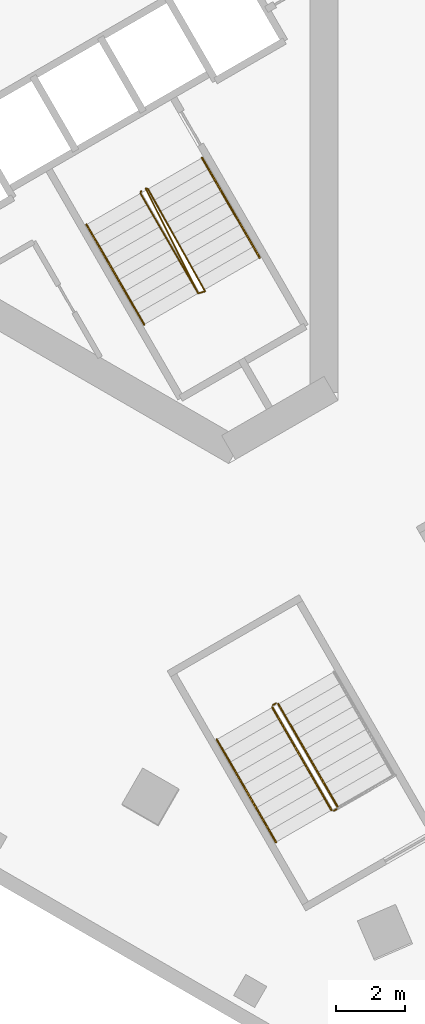
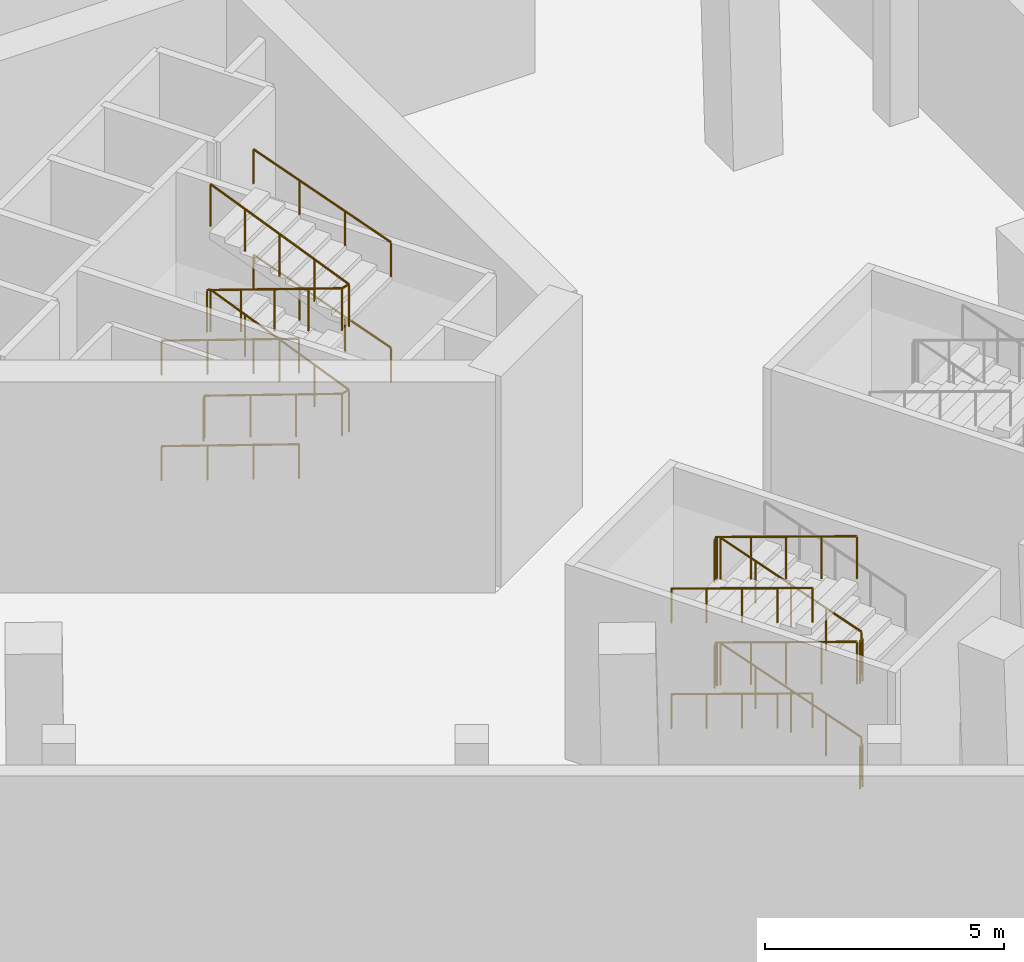
# One storey, part 20 of 35: 15 railings.
"""IFC4 building model written with IfcOpenShell, lengths in metres."""

import ifcopenshell
import ifcopenshell.guid

model = None  # the IFC model being written
_history = None  # IfcOwnerHistory: only IFC2X3 demands one
_inside = {}  # id of a spatial element -> (the spatial element, [elements in it])
_under = {}  # id of a project, library or spatial element -> (it, [spatial elements below it])
_declared = {}  # id of a project -> (the project, [libraries it declares])
_typed = {}  # id of a type object -> (the type object, [elements of that type])
_made_of = {}  # id of a material, layer set ... -> (it, [elements and type objects made of it])


def new_model(schema):
    """Start an empty IFC model of exactly this schema.

    Asked for "IFC4X3", IfcOpenShell would pick the latest addendum, in which some entities
    have other attributes; the version numbers below select the first issue.
    IFC2X3 requires an IfcOwnerHistory on every rooted entity: one is made here for all.
    """
    global model, _history
    if schema == "IFC4X3":
        model = ifcopenshell.file(schema_version=(4, 3, 0, 0))
    else:
        model = ifcopenshell.file(schema=schema)
    _inside.clear()
    _under.clear()
    _declared.clear()
    _typed.clear()
    _made_of.clear()
    _history = None
    if model.schema == "IFC2X3":
        org = make("IfcOrganization", Name="unknown")
        user = make(
            "IfcPersonAndOrganization",
            ThePerson=make("IfcPerson", FamilyName="unknown"),
            TheOrganization=org,
        )
        app = make(
            "IfcApplication",
            ApplicationDeveloper=org,
            Version="unknown",
            ApplicationFullName="unknown",
            ApplicationIdentifier="unknown",
        )
        _history = make(
            "IfcOwnerHistory",
            OwningUser=user,
            OwningApplication=app,
            ChangeAction="ADDED",
            CreationDate=0,
        )
    return model


def make(cls, **values):
    """One entity of the class cls with the attributes given. An attribute that is None is left unset."""
    return model.create_entity(
        cls, **{name: value for name, value in values.items() if value is not None}
    )


def rooted(cls, **values):
    """An entity with a GlobalId (a new one), such as an element, a storey or a relation."""
    return make(cls, GlobalId=ifcopenshell.guid.new(), OwnerHistory=_history, **values)


def si_unit(unit_type, name, prefix=None):
    """IfcSIUnit, for example si_unit("LENGTHUNIT", "METRE", prefix="MILLI")."""
    return make("IfcSIUnit", UnitType=unit_type, Prefix=prefix, Name=name)


def assignment(units):
    """IfcUnitAssignment: the units of a project."""
    return None if units is None else make("IfcUnitAssignment", Units=units)


def point(xyz):
    """IfcCartesianPoint."""
    return None if xyz is None else make("IfcCartesianPoint", Coordinates=xyz)


def direction(xyz):
    """IfcDirection."""
    return None if xyz is None else make("IfcDirection", DirectionRatios=xyz)


def frame(location, z_axis=None, x_axis=None):
    """IfcAxis2Placement3D, a coordinate frame: its origin and axes. An axis left out is left unset."""
    return make(
        "IfcAxis2Placement3D",
        Location=point(location),
        Axis=direction(z_axis),
        RefDirection=direction(x_axis),
    )


def frame_2d(location, x_axis=None):
    """IfcAxis2Placement2D, a coordinate frame in the plane: its origin and x axis."""
    return make(
        "IfcAxis2Placement2D", Location=point(location), RefDirection=direction(x_axis)
    )


def origin():
    """The frame at (0, 0, 0) with its axes left unset."""
    return frame((0.0, 0.0, 0.0))


def origin_2d():
    """The frame at (0, 0) in the plane with its x axis left unset."""
    return frame_2d((0.0, 0.0))


def place(relative_to, where):
    """IfcLocalPlacement: puts the frame where relative to a parent placement (None: the world)."""
    return make(
        "IfcLocalPlacement", PlacementRelTo=relative_to, RelativePlacement=where
    )


def context(
    kind, dimensions, precision=None, world=None, true_north=None, identifier=None
):
    """IfcGeometricRepresentationContext, for example the 3D "Model" context."""
    return make(
        "IfcGeometricRepresentationContext",
        ContextIdentifier=identifier,
        ContextType=kind,
        CoordinateSpaceDimension=dimensions,
        Precision=precision,
        WorldCoordinateSystem=world,
        TrueNorth=true_north,
    )


def subcontext(parent, identifier, kind, view, scale=None):
    """IfcGeometricRepresentationSubContext, for example "Body" below "Model"."""
    return make(
        "IfcGeometricRepresentationSubContext",
        ContextIdentifier=identifier,
        ContextType=kind,
        ParentContext=parent,
        TargetScale=scale,
        TargetView=view,
    )


def project(units=None, contexts=None):
    """IfcProject with its units and contexts."""
    return rooted(
        "IfcProject",
        Name="project",
        RepresentationContexts=contexts,
        UnitsInContext=assignment(units),
    )


def spatial(cls, under=None, at=None, **own):
    """A site, building, storey or space (cls), placed at a placement, below another one or the project."""
    s = rooted(cls, ObjectPlacement=at, **own)
    if under is not None:
        _under.setdefault(under.id(), (under, []))[1].append(s)
    return s


def profile(cls, at=None, kind="AREA", **sizes):
    """A parametric profile (cls). Its sizes go by their IFC names, for example OverallWidth=200.0."""
    return make(cls, ProfileType=kind, Position=at, **sizes)


def circle(**sizes):
    """IfcCircleProfileDef."""
    return profile("IfcCircleProfileDef", **sizes)


def extrude(swept, where, along, depth):
    """IfcExtrudedAreaSolid: the profile swept, set in the frame where, extruded along a direction by depth."""
    return make(
        "IfcExtrudedAreaSolid",
        SweptArea=swept,
        Position=where,
        ExtrudedDirection=direction(along),
        Depth=depth,
    )


def shape(context_of_items, identifier, shape_type, items):
    """IfcShapeRepresentation: the items that make up one representation, for example the "Body"."""
    return make(
        "IfcShapeRepresentation",
        ContextOfItems=context_of_items,
        RepresentationIdentifier=identifier,
        RepresentationType=shape_type,
        Items=items,
    )


def material(Name=None, Category=None):
    """IfcMaterial."""
    return make("IfcMaterial", Name=Name, Category=Category)


def made_of(thing, what):
    """Note that an element or type object is made of a material, layer set ...; save() writes the relation."""
    if what is not None:
        _made_of.setdefault(what.id(), (what, []))[1].append(thing)
    return thing


def type_object(cls, material=None, **own):
    """A type object (cls), such as IfcWallType, which elements share."""
    return made_of(rooted(cls, **own), material)


def element(
    cls,
    number,
    at=None,
    inside=None,
    cuts=None,
    type_object=None,
    material=None,
    context=None,
    identifier="Body",
    shape_type=None,
    held_by="IfcProductDefinitionShape",
    body=None,
    shapes=None,
    **own,
):
    """One element of the class cls, such as IfcWall. Its Tag is "e" and its number.

    at: its placement. inside: the storey or other place that contains it. cuts: it is an
    opening in that element (IfcRelVoidsElement). A single representation is given by context,
    identifier, shape_type and body (its items); several are given by shapes. held_by: the class
    of the entity that holds the representations. save() writes the other relations.
    """
    e = rooted(cls, Tag="e%d" % number, ObjectPlacement=at, **own)
    if body is not None:
        shapes = [shape(context, identifier, shape_type, body)]
    if shapes is not None:
        e.Representation = make(held_by, Representations=shapes)
    if inside is not None:
        _inside.setdefault(inside.id(), (inside, []))[1].append(e)
    if cuts is not None:
        rooted(
            "IfcRelVoidsElement", RelatingBuildingElement=cuts, RelatedOpeningElement=e
        )
    if type_object is not None:
        _typed.setdefault(type_object.id(), (type_object, []))[1].append(e)
    return made_of(e, material)


def aggregate(whole, parts):
    """IfcRelAggregates: a whole, such as a stair, and the parts it consists of."""
    return rooted("IfcRelAggregates", RelatingObject=whole, RelatedObjects=parts)


def save(model, path):
    """Write the relations noted so far, then the file.

    IfcRelAggregates (storeys below a building ...), IfcRelContainedInSpatialStructure (elements
    in a storey), IfcRelDefinesByType, IfcRelAssociatesMaterial and IfcRelDeclares: one each for
    every whole, place, type object, material and project.
    """
    for whole, parts in _under.values():
        aggregate(whole, parts)
    for where, things in _inside.values():
        rooted(
            "IfcRelContainedInSpatialStructure",
            RelatedElements=things,
            RelatingStructure=where,
        )
    for kind, things in _typed.values():
        rooted("IfcRelDefinesByType", RelatedObjects=things, RelatingType=kind)
    for what, things in _made_of.values():
        rooted("IfcRelAssociatesMaterial", RelatedObjects=things, RelatingMaterial=what)
    for by, libraries in _declared.values():
        rooted("IfcRelDeclares", RelatingContext=by, RelatedDefinitions=libraries)
    model.write(path)


model = new_model("IFC4")

# Units and contexts
model_context = context("Model", 3, precision=1e-05, world=origin(), true_north=direction((0.0, 1.0)))
body_context = subcontext(model_context, "Body", "Model", "MODEL_VIEW")
ifc_project = project(units=[si_unit("LENGTHUNIT", "METRE"), si_unit("AREAUNIT", "SQUARE_METRE"), si_unit("VOLUMEUNIT", "CUBIC_METRE"), si_unit("PLANEANGLEUNIT", "RADIAN"), si_unit("MASSUNIT", "GRAM", prefix="KILO")], contexts=[model_context])

# Site, building, storey
site_placement = place(None, origin())
site = spatial("IfcSite", under=ifc_project, at=site_placement, CompositionType="ELEMENT")
building_placement = place(site_placement, origin())
building = spatial("IfcBuilding", under=site, at=building_placement, Name="Jabali Bay Hotel Tower and Convention Centre", CompositionType="ELEMENT")
storey_placement = place(building_placement, frame((0.0, 0.0, 15.0)))
storey = spatial("IfcBuildingStorey", under=building, at=storey_placement, Name="L02", CompositionType="ELEMENT", Elevation=15.0)

# Railings
ifc_material = material(Name="Steel Q355B", Category="steel")
railing_type_1 = type_object("IfcRailingType", Name="Stair guard 1100", PredefinedType="GUARDRAIL", material=ifc_material)
railing_1_placement = place(storey_placement, frame((84.199951171875, 63.9150390625, 0.0)))
element("IfcRailing", 1, at=railing_1_placement, inside=storey, type_object=railing_type_1, Name="L02 ST3 stair guard 1", PredefinedType="GUARDRAIL", context=body_context, shape_type="SweptSolid", body=[
    extrude(circle(Radius=0.02392578125, at=origin_2d()), frame((0.0, 0.0, 1.076171875), z_axis=(-0.120121682433, -0.448454281082, 0.885697205138), x_axis=(0.965948051503, -0.258736085224, 0.0)), (0.0, 0.0, 1.0), 0.15234375),
    extrude(circle(Radius=0.02392578125, at=origin_2d()), frame((-0.018310546875, -0.068359375, 1.2109375), z_axis=(0.469723847584, -0.813545174145, 0.342788209593), x_axis=(0.866014653411, 0.500018619731, 0.0)), (0.0, 0.0, 1.0), 3.544677734375),
    extrude(circle(Radius=0.02392578125, at=origin_2d()), frame((1.646728515625, -2.9521484375, 2.42626953125), z_axis=(0.961523947641, 0.274721127897, 0.0), x_axis=(-0.274721127897, 0.961523947641, 0.0)), (0.0, 0.0, 1.0), 0.2060546875),
    extrude(circle(Radius=0.02392578125, at=origin_2d()), frame((1.844970703125, -2.8955078125, 2.42626953125), z_axis=(-0.452408192351, 0.811048163367, 0.3708472788), x_axis=(-0.873321331712, -0.48714459001, 0.0)), (0.0, 0.0, 1.0), 3.639892578125),
    extrude(circle(Radius=0.02392578125, at=origin_2d()), frame((0.1982421875, 0.056640625, 3.77587890625), z_axis=(-0.965948051503, 0.258736085224, 0.0), x_axis=(-0.258736085224, -0.965948051503, 0.0)), (0.0, 0.0, 1.0), 0.07080078125),
    extrude(circle(Radius=0.02392578125, at=origin_2d()), frame((0.1298828125, 0.074951171875, 3.77587890625), z_axis=(0.416130262987, -0.830452137579, 0.370384734318), x_axis=(0.894037481687, 0.447992166604, 0.0)), (0.0, 0.0, 1.0), 3.64501953125),
    extrude(circle(Radius=0.02392578125, at=origin_2d()), frame((1.646728515625, -2.9521484375, 5.1259765625), z_axis=(0.961523947641, 0.274721127897, 0.0), x_axis=(-0.274721127897, 0.961523947641, 0.0)), (0.0, 0.0, 1.0), 0.2060546875),
    extrude(circle(Radius=0.02392578125, at=origin_2d()), frame((1.844970703125, -2.8955078125, 5.1259765625), z_axis=(-0.452408192351, 0.811048163367, 0.3708472788), x_axis=(-0.873321331712, -0.48714459001, 0.0)), (0.0, 0.0, 1.0), 3.639892578125),
    extrude(circle(Radius=0.02099609375, at=origin_2d()), origin(), (0.0, 0.0, 1.0), 1.052001953125),
    extrude(circle(Radius=0.02099609375, at=origin_2d()), frame((-0.018310546875, -0.068359375, 0.135009765625)), (0.0, 0.0, 1.0), 1.052001953125),
    extrude(circle(Radius=0.02099609375, at=origin_2d()), frame((0.53662109375, -1.029541015625, 0.5400390625)), (0.0, 0.0, 1.0), 1.052001953125),
    extrude(circle(Radius=0.02099609375, at=origin_2d()), frame((1.091796875, -1.990966796875, 0.945068359375)), (0.0, 0.0, 1.0), 1.052001953125),
    extrude(circle(Radius=0.02099609375, at=origin_2d()), frame((1.646728515625, -2.9521484375, 1.35009765625)), (0.0, 0.0, 1.0), 1.052001953125),
    extrude(circle(Radius=0.02099609375, at=origin_2d()), frame((1.844970703125, -2.8955078125, 1.35009765625)), (0.0, 0.0, 1.0), 1.052001953125),
    extrude(circle(Radius=0.02099609375, at=origin_2d()), frame((1.433349609375, -2.157470703125, 1.6875)), (0.0, 0.0, 1.0), 1.052001953125),
    extrude(circle(Radius=0.02099609375, at=origin_2d()), frame((1.021484375, -1.41943359375, 2.02490234375)), (0.0, 0.0, 1.0), 1.052001953125),
    extrude(circle(Radius=0.02099609375, at=origin_2d()), frame((0.60986328125, -0.681396484375, 2.362548828125)), (0.0, 0.0, 1.0), 1.052001953125),
    extrude(circle(Radius=0.02099609375, at=origin_2d()), frame((0.1982421875, 0.056640625, 2.699951171875)), (0.0, 0.0, 1.0), 1.052001953125),
    extrude(circle(Radius=0.02099609375, at=origin_2d()), frame((0.1298828125, 0.074951171875, 2.699951171875)), (0.0, 0.0, 1.0), 1.052001953125),
    extrude(circle(Radius=0.02099609375, at=origin_2d()), frame((0.509033203125, -0.681884765625, 3.03759765625)), (0.0, 0.0, 1.0), 1.052001953125),
    extrude(circle(Radius=0.02099609375, at=origin_2d()), frame((0.88818359375, -1.4384765625, 3.375)), (0.0, 0.0, 1.0), 1.052001953125),
    extrude(circle(Radius=0.02099609375, at=origin_2d()), frame((1.267578125, -2.1953125, 3.71240234375)), (0.0, 0.0, 1.0), 1.052001953125),
    extrude(circle(Radius=0.02099609375, at=origin_2d()), frame((1.646728515625, -2.9521484375, 4.050048828125)), (0.0, 0.0, 1.0), 1.052001953125),
    extrude(circle(Radius=0.02099609375, at=origin_2d()), frame((1.844970703125, -2.8955078125, 4.050048828125)), (0.0, 0.0, 1.0), 1.052001953125),
    extrude(circle(Radius=0.02099609375, at=origin_2d()), frame((1.433349609375, -2.157470703125, 4.387451171875)), (0.0, 0.0, 1.0), 1.052001953125),
    extrude(circle(Radius=0.02099609375, at=origin_2d()), frame((1.021484375, -1.41943359375, 4.72509765625)), (0.0, 0.0, 1.0), 1.052001953125),
    extrude(circle(Radius=0.02099609375, at=origin_2d()), frame((0.60986328125, -0.681396484375, 5.0625)), (0.0, 0.0, 1.0), 1.052001953125),
    extrude(circle(Radius=0.02099609375, at=origin_2d()), frame((0.1982421875, 0.056640625, 5.39990234375)), (0.0, 0.0, 1.0), 1.052001953125),
])
railing_2_placement = place(storey_placement, frame((89.86767578125, 46.148681640625, 0.135009765625)))
element("IfcRailing", 2, at=railing_2_placement, inside=storey, type_object=railing_type_1, Name="L02 PS6 stair guard 1", PredefinedType="GUARDRAIL", context=body_context, shape_type="SweptSolid", body=[
    extrude(circle(Radius=0.02392578125, at=origin_2d()), frame((0.0, 0.0, 1.076171875), z_axis=(-0.471153129976, 0.816042064498, 0.334798561949), x_axis=(-0.866020337685, -0.500008774639, 0.0)), (0.0, 0.0, 1.0), 3.62939453125),
    extrude(circle(Radius=0.02099609375, at=origin_2d()), origin(), (0.0, 0.0, 1.0), 1.052001953125),
    extrude(circle(Radius=0.02099609375, at=origin_2d()), frame((-0.427490234375, 0.740478515625, 0.3037109375)), (0.0, 0.0, 1.0), 1.052001953125),
    extrude(circle(Radius=0.02099609375, at=origin_2d()), frame((-0.85498046875, 1.48095703125, 0.607421875)), (0.0, 0.0, 1.0), 1.052001953125),
    extrude(circle(Radius=0.02099609375, at=origin_2d()), frame((-1.282470703125, 2.22119140625, 0.911376953125)), (0.0, 0.0, 1.0), 1.052001953125),
    extrude(circle(Radius=0.02099609375, at=origin_2d()), frame((-1.7099609375, 2.961669921875, 1.215087890625)), (0.0, 0.0, 1.0), 1.052001953125),
])
railing_3_placement = place(storey_placement, frame((88.08935546875, 49.128662109375, 1.35009765625)))
element("IfcRailing", 3, at=railing_3_placement, inside=storey, type_object=railing_type_1, Name="L02 PS6 stair guard 2", PredefinedType="GUARDRAIL", context=body_context, shape_type="SweptSolid", body=[
    extrude(circle(Radius=0.02392578125, at=origin_2d()), frame((0.0, 0.0, 1.076171875), z_axis=(-0.865982457891, -0.500074377092, 0.0), x_axis=(0.500074377092, -0.865982457891, 0.0)), (0.0, 0.0, 1.0), 0.10009765625),
    extrude(circle(Radius=0.02099609375, at=origin_2d()), origin(), (0.0, 0.0, 1.0), 1.052001953125),
    extrude(circle(Radius=0.02099609375, at=origin_2d()), frame((-0.086669921875, -0.050048828125, 0.0)), (0.0, 0.0, 1.0), 1.052001953125),
])
railing_4_placement = place(storey_placement, frame((87.984375, 49.01025390625, 1.485107421875)))
element("IfcRailing", 4, at=railing_4_placement, inside=storey, type_object=railing_type_1, Name="L02 PS6 stair guard 3", PredefinedType="GUARDRAIL", context=body_context, shape_type="SweptSolid", body=[
    extrude(circle(Radius=0.02392578125, at=origin_2d()), frame((0.0, 0.0, 1.076171875), z_axis=(0.471163740398, -0.816060441857, 0.334738830985), x_axis=(0.866020337685, 0.500008774639, 0.0)), (0.0, 0.0, 1.0), 3.629150390625),
    extrude(circle(Radius=0.02099609375, at=origin_2d()), origin(), (0.0, 0.0, 1.0), 1.052001953125),
    extrude(circle(Radius=0.02099609375, at=origin_2d()), frame((0.427490234375, -0.740478515625, 0.3037109375)), (0.0, 0.0, 1.0), 1.052001953125),
    extrude(circle(Radius=0.02099609375, at=origin_2d()), frame((0.85498046875, -1.48095703125, 0.607421875)), (0.0, 0.0, 1.0), 1.052001953125),
    extrude(circle(Radius=0.02099609375, at=origin_2d()), frame((1.282470703125, -2.22119140625, 0.9111328125)), (0.0, 0.0, 1.0), 1.052001953125),
    extrude(circle(Radius=0.02099609375, at=origin_2d()), frame((1.7099609375, -2.961669921875, 1.21484375)), (0.0, 0.0, 1.0), 1.052001953125),
])
railing_5_placement = place(storey_placement, frame((89.849365234375, 46.080322265625, 2.699951171875)))
element("IfcRailing", 5, at=railing_5_placement, inside=storey, type_object=railing_type_1, Name="L02 PS6 stair guard 4", PredefinedType="GUARDRAIL", context=body_context, shape_type="SweptSolid", body=[
    extrude(circle(Radius=0.02392578125, at=origin_2d()), frame((0.0, 0.0, 1.076171875), z_axis=(-0.865982457891, -0.500074377092, 0.0), x_axis=(0.500074377092, -0.865982457891, 0.0)), (0.0, 0.0, 1.0), 0.10009765625),
    extrude(circle(Radius=0.02099609375, at=origin_2d()), origin(), (0.0, 0.0, 1.0), 1.052001953125),
    extrude(circle(Radius=0.02099609375, at=origin_2d()), frame((-0.086669921875, -0.050048828125, 0.0)), (0.0, 0.0, 1.0), 1.052001953125),
])
railing_6_placement = place(storey_placement, frame((89.86767578125, 46.148681640625, 2.8349609375)))
element("IfcRailing", 6, at=railing_6_placement, inside=storey, type_object=railing_type_1, Name="L02 PS6 stair guard 5", PredefinedType="GUARDRAIL", context=body_context, shape_type="SweptSolid", body=[
    extrude(circle(Radius=0.02392578125, at=origin_2d()), frame((0.0, 0.0, 1.076171875), z_axis=(-0.471153129976, 0.816042064498, 0.334798561949), x_axis=(-0.866020337685, -0.500008774639, 0.0)), (0.0, 0.0, 1.0), 3.62939453125),
    extrude(circle(Radius=0.02099609375, at=origin_2d()), origin(), (0.0, 0.0, 1.0), 1.052001953125),
    extrude(circle(Radius=0.02099609375, at=origin_2d()), frame((-0.427490234375, 0.740478515625, 0.3037109375)), (0.0, 0.0, 1.0), 1.052001953125),
    extrude(circle(Radius=0.02099609375, at=origin_2d()), frame((-0.85498046875, 1.48095703125, 0.607421875)), (0.0, 0.0, 1.0), 1.052001953125),
    extrude(circle(Radius=0.02099609375, at=origin_2d()), frame((-1.282470703125, 2.22119140625, 0.911376953125)), (0.0, 0.0, 1.0), 1.052001953125),
    extrude(circle(Radius=0.02099609375, at=origin_2d()), frame((-1.7099609375, 2.961669921875, 1.215087890625)), (0.0, 0.0, 1.0), 1.052001953125),
])
railing_7_placement = place(storey_placement, frame((88.08935546875, 49.128662109375, 4.050048828125)))
element("IfcRailing", 7, at=railing_7_placement, inside=storey, type_object=railing_type_1, Name="L02 PS6 stair guard 6", PredefinedType="GUARDRAIL", context=body_context, shape_type="SweptSolid", body=[
    extrude(circle(Radius=0.02392578125, at=origin_2d()), frame((0.0, 0.0, 1.076171875), z_axis=(-0.865982457891, -0.500074377092, 0.0), x_axis=(0.500074377092, -0.865982457891, 0.0)), (0.0, 0.0, 1.0), 0.10009765625),
    extrude(circle(Radius=0.02099609375, at=origin_2d()), origin(), (0.0, 0.0, 1.0), 1.052001953125),
    extrude(circle(Radius=0.02099609375, at=origin_2d()), frame((-0.086669921875, -0.050048828125, 0.0)), (0.0, 0.0, 1.0), 1.052001953125),
])
railing_8_placement = place(storey_placement, frame((87.984375, 49.01025390625, 4.18505859375)))
element("IfcRailing", 8, at=railing_8_placement, inside=storey, type_object=railing_type_1, Name="L02 PS6 stair guard 7", PredefinedType="GUARDRAIL", context=body_context, shape_type="SweptSolid", body=[
    extrude(circle(Radius=0.02392578125, at=origin_2d()), frame((0.0, 0.0, 1.076171875), z_axis=(0.471163740398, -0.816060441857, 0.334738830985), x_axis=(0.866020337685, 0.500008774639, 0.0)), (0.0, 0.0, 1.0), 3.629150390625),
    extrude(circle(Radius=0.02099609375, at=origin_2d()), origin(), (0.0, 0.0, 1.0), 1.052001953125),
    extrude(circle(Radius=0.02099609375, at=origin_2d()), frame((0.427490234375, -0.740478515625, 0.3037109375)), (0.0, 0.0, 1.0), 1.052001953125),
    extrude(circle(Radius=0.02099609375, at=origin_2d()), frame((0.85498046875, -1.48095703125, 0.607421875)), (0.0, 0.0, 1.0), 1.052001953125),
    extrude(circle(Radius=0.02099609375, at=origin_2d()), frame((1.282470703125, -2.22119140625, 0.9111328125)), (0.0, 0.0, 1.0), 1.052001953125),
    extrude(circle(Radius=0.02099609375, at=origin_2d()), frame((1.7099609375, -2.961669921875, 1.21484375)), (0.0, 0.0, 1.0), 1.052001953125),
])
railing_9_placement = place(storey_placement, frame((89.849365234375, 46.080322265625, 0.0)))
element("IfcRailing", 9, at=railing_9_placement, inside=storey, type_object=railing_type_1, Name="L02 PS6 stair guard 8", PredefinedType="GUARDRAIL", context=body_context, shape_type="SweptSolid", body=[
    extrude(circle(Radius=0.02392578125, at=origin_2d()), frame((0.0, 0.0, 1.076171875), z_axis=(-0.865982457891, -0.500074377092, 0.0), x_axis=(0.500074377092, -0.865982457891, 0.0)), (0.0, 0.0, 1.0), 0.10009765625),
    extrude(circle(Radius=0.02099609375, at=origin_2d()), origin(), (0.0, 0.0, 1.0), 1.052001953125),
    extrude(circle(Radius=0.02099609375, at=origin_2d()), frame((-0.086669921875, -0.050048828125, 0.0)), (0.0, 0.0, 1.0), 1.052001953125),
])
railing_type_2 = type_object("IfcRailingType", Name="Stair handrail 900", PredefinedType="HANDRAIL", material=ifc_material)
railing_10_placement = place(storey_placement, frame((82.622802734375, 62.94677734375, 0.135009765625)))
element("IfcRailing", 10, at=railing_10_placement, inside=storey, type_object=railing_type_2, Name="L02 ST3 stair handrail 1", PredefinedType="HANDRAIL", context=body_context, shape_type="SweptSolid", body=[
    extrude(circle(Radius=0.02392578125, at=origin_2d()), frame((0.0, 0.0, 0.8759765625), z_axis=(0.469723847584, -0.813545174145, 0.342788209593), x_axis=(0.866014653411, 0.500018619731, 0.0)), (0.0, 0.0, 1.0), 3.544677734375),
    extrude(circle(Radius=0.02099609375, at=origin_2d()), origin(), (0.0, 0.0, 1.0), 0.851806640625),
    extrude(circle(Radius=0.02099609375, at=origin_2d()), frame((0.554931640625, -0.961181640625, 0.405029296875)), (0.0, 0.0, 1.0), 0.851806640625),
    extrude(circle(Radius=0.02099609375, at=origin_2d()), frame((1.110107421875, -1.922607421875, 0.81005859375)), (0.0, 0.0, 1.0), 0.851806640625),
    extrude(circle(Radius=0.02099609375, at=origin_2d()), frame((1.6650390625, -2.8837890625, 1.215087890625)), (0.0, 0.0, 1.0), 0.851806640625),
])
railing_11_placement = place(storey_placement, frame((87.6220703125, 61.98779296875, 1.485107421875)))
element("IfcRailing", 11, at=railing_11_placement, inside=storey, type_object=railing_type_2, Name="L02 ST3 stair handrail 2", PredefinedType="HANDRAIL", context=body_context, shape_type="SweptSolid", body=[
    extrude(circle(Radius=0.02392578125, at=origin_2d()), frame((0.0, 0.0, 0.8759765625), z_axis=(-0.469708616178, 0.813587666116, 0.342708222009), x_axis=(-0.866032982159, -0.499986873641, 0.0)), (0.0, 0.0, 1.0), 3.544921875),
    extrude(circle(Radius=0.02099609375, at=origin_2d()), origin(), (0.0, 0.0, 1.0), 0.851806640625),
    extrude(circle(Radius=0.02099609375, at=origin_2d()), frame((-0.554931640625, 0.96142578125, 0.405029296875)), (0.0, 0.0, 1.0), 0.851806640625),
    extrude(circle(Radius=0.02099609375, at=origin_2d()), frame((-1.110107421875, 1.922607421875, 0.809814453125)), (0.0, 0.0, 1.0), 0.851806640625),
    extrude(circle(Radius=0.02099609375, at=origin_2d()), frame((-1.6650390625, 2.884033203125, 1.21484375)), (0.0, 0.0, 1.0), 0.851806640625),
])
railing_12_placement = place(storey_placement, frame((82.622802734375, 62.94677734375, 2.8349609375)))
element("IfcRailing", 12, at=railing_12_placement, inside=storey, type_object=railing_type_2, Name="L02 ST3 stair handrail 3", PredefinedType="HANDRAIL", context=body_context, shape_type="SweptSolid", body=[
    extrude(circle(Radius=0.02392578125, at=origin_2d()), frame((0.0, 0.0, 0.8759765625), z_axis=(0.469723847584, -0.813545174145, 0.342788209593), x_axis=(0.866014653411, 0.500018619731, 0.0)), (0.0, 0.0, 1.0), 3.544677734375),
    extrude(circle(Radius=0.02099609375, at=origin_2d()), origin(), (0.0, 0.0, 1.0), 0.851806640625),
    extrude(circle(Radius=0.02099609375, at=origin_2d()), frame((0.554931640625, -0.961181640625, 0.405029296875)), (0.0, 0.0, 1.0), 0.851806640625),
    extrude(circle(Radius=0.02099609375, at=origin_2d()), frame((1.110107421875, -1.922607421875, 0.81005859375)), (0.0, 0.0, 1.0), 0.851806640625),
    extrude(circle(Radius=0.02099609375, at=origin_2d()), frame((1.6650390625, -2.8837890625, 1.215087890625)), (0.0, 0.0, 1.0), 0.851806640625),
])
railing_13_placement = place(storey_placement, frame((87.6220703125, 61.98779296875, 4.18505859375)))
element("IfcRailing", 13, at=railing_13_placement, inside=storey, type_object=railing_type_2, Name="L02 ST3 stair handrail 4", PredefinedType="HANDRAIL", context=body_context, shape_type="SweptSolid", body=[
    extrude(circle(Radius=0.02392578125, at=origin_2d()), frame((0.0, 0.0, 0.8759765625), z_axis=(-0.469708616178, 0.813587666116, 0.342708222009), x_axis=(-0.866032982159, -0.499986873641, 0.0)), (0.0, 0.0, 1.0), 3.544921875),
    extrude(circle(Radius=0.02099609375, at=origin_2d()), origin(), (0.0, 0.0, 1.0), 0.851806640625),
    extrude(circle(Radius=0.02099609375, at=origin_2d()), frame((-0.554931640625, 0.96142578125, 0.405029296875)), (0.0, 0.0, 1.0), 0.851806640625),
    extrude(circle(Radius=0.02099609375, at=origin_2d()), frame((-1.110107421875, 1.922607421875, 0.809814453125)), (0.0, 0.0, 1.0), 0.851806640625),
    extrude(circle(Radius=0.02099609375, at=origin_2d()), frame((-1.6650390625, 2.884033203125, 1.21484375)), (0.0, 0.0, 1.0), 0.851806640625),
])
for number, where, name in (
    (14, (86.38232421875, 48.08544921875, 1.485107421875), "L02 PS6 stair handrail 2"),
    (15, (86.38232421875, 48.08544921875, 4.18505859375), "L02 PS6 stair handrail 4"),
):
    element("IfcRailing", number, at=place(storey_placement, frame(where)), inside=storey, type_object=railing_type_2, Name=name, PredefinedType="HANDRAIL", context=body_context, shape_type="SweptSolid", body=[
        extrude(circle(Radius=0.02392578125, at=origin_2d()), frame((0.0, 0.0, 0.8759765625), z_axis=(0.47113787602, -0.81608291146, 0.334720455607), x_axis=(0.866038183914, 0.499977863513, 0.0)), (0.0, 0.0, 1.0), 3.62939453125),
        extrude(circle(Radius=0.02099609375, at=origin_2d()), origin(), (0.0, 0.0, 1.0), 0.851806640625),
        extrude(circle(Radius=0.02099609375, at=origin_2d()), frame((0.427490234375, -0.740478515625, 0.3037109375)), (0.0, 0.0, 1.0), 0.851806640625),
        extrude(circle(Radius=0.02099609375, at=origin_2d()), frame((0.85498046875, -1.48095703125, 0.607421875)), (0.0, 0.0, 1.0), 0.851806640625),
        extrude(circle(Radius=0.02099609375, at=origin_2d()), frame((1.282470703125, -2.221435546875, 0.9111328125)), (0.0, 0.0, 1.0), 0.851806640625),
        extrude(circle(Radius=0.02099609375, at=origin_2d()), frame((1.7099609375, -2.9619140625, 1.21484375)), (0.0, 0.0, 1.0), 0.851806640625),
    ])

save(model, "model.ifc")
